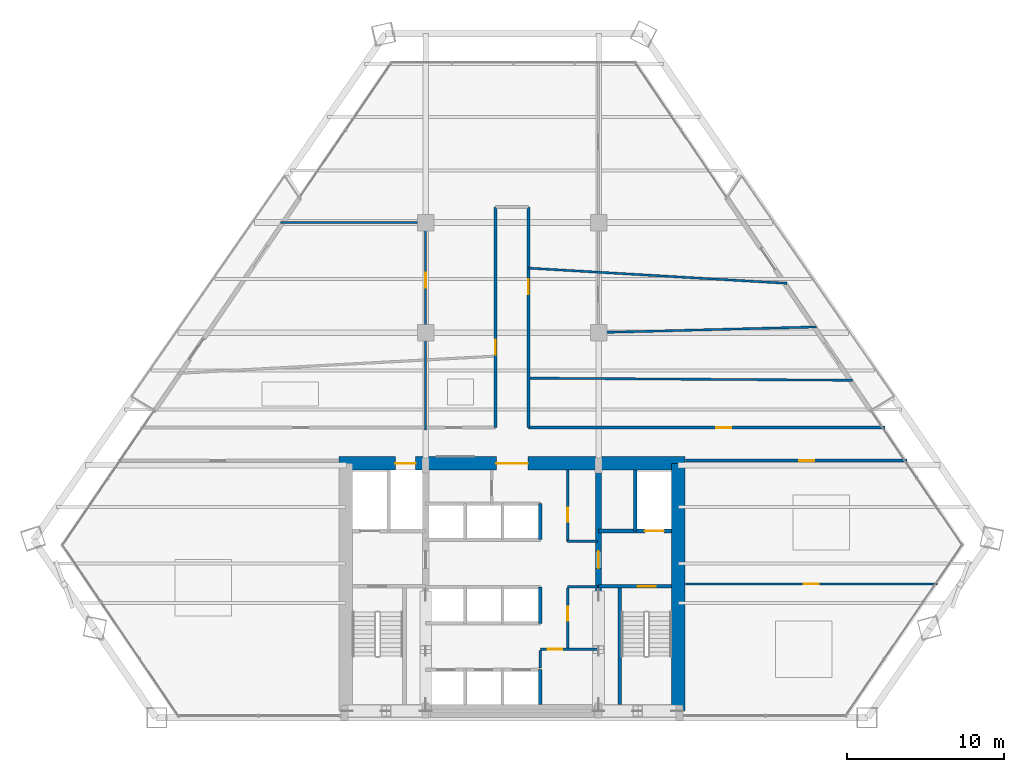
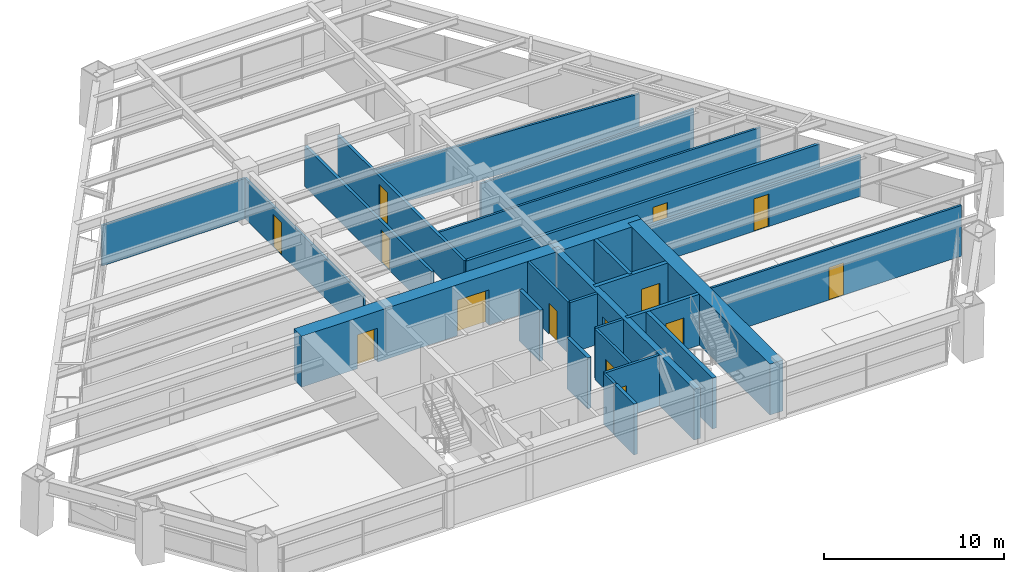
# One storey, part 11 of 14: 26 walls, 14 doors, 14 openings.
"""IFC4 building model written with IfcOpenShell, lengths in metres."""

import ifcopenshell
import ifcopenshell.guid

model = None  # the IFC model being written
_history = None  # IfcOwnerHistory: only IFC2X3 demands one
_inside = {}  # id of a spatial element -> (the spatial element, [elements in it])
_under = {}  # id of a project, library or spatial element -> (it, [spatial elements below it])
_declared = {}  # id of a project -> (the project, [libraries it declares])
_typed = {}  # id of a type object -> (the type object, [elements of that type])
_made_of = {}  # id of a material, layer set ... -> (it, [elements and type objects made of it])


def new_model(schema):
    """Start an empty IFC model of exactly this schema.

    Asked for "IFC4X3", IfcOpenShell would pick the latest addendum, in which some entities
    have other attributes; the version numbers below select the first issue.
    IFC2X3 requires an IfcOwnerHistory on every rooted entity: one is made here for all.
    """
    global model, _history
    if schema == "IFC4X3":
        model = ifcopenshell.file(schema_version=(4, 3, 0, 0))
    else:
        model = ifcopenshell.file(schema=schema)
    _inside.clear()
    _under.clear()
    _declared.clear()
    _typed.clear()
    _made_of.clear()
    _history = None
    if model.schema == "IFC2X3":
        org = make("IfcOrganization", Name="unknown")
        user = make(
            "IfcPersonAndOrganization",
            ThePerson=make("IfcPerson", FamilyName="unknown"),
            TheOrganization=org,
        )
        app = make(
            "IfcApplication",
            ApplicationDeveloper=org,
            Version="unknown",
            ApplicationFullName="unknown",
            ApplicationIdentifier="unknown",
        )
        _history = make(
            "IfcOwnerHistory",
            OwningUser=user,
            OwningApplication=app,
            ChangeAction="ADDED",
            CreationDate=0,
        )
    return model


def make(cls, **values):
    """One entity of the class cls with the attributes given. An attribute that is None is left unset."""
    return model.create_entity(
        cls, **{name: value for name, value in values.items() if value is not None}
    )


def rooted(cls, **values):
    """An entity with a GlobalId (a new one), such as an element, a storey or a relation."""
    return make(cls, GlobalId=ifcopenshell.guid.new(), OwnerHistory=_history, **values)


def si_unit(unit_type, name, prefix=None):
    """IfcSIUnit, for example si_unit("LENGTHUNIT", "METRE", prefix="MILLI")."""
    return make("IfcSIUnit", UnitType=unit_type, Prefix=prefix, Name=name)


def assignment(units):
    """IfcUnitAssignment: the units of a project."""
    return None if units is None else make("IfcUnitAssignment", Units=units)


def point(xyz):
    """IfcCartesianPoint."""
    return None if xyz is None else make("IfcCartesianPoint", Coordinates=xyz)


def direction(xyz):
    """IfcDirection."""
    return None if xyz is None else make("IfcDirection", DirectionRatios=xyz)


def frame(location, z_axis=None, x_axis=None):
    """IfcAxis2Placement3D, a coordinate frame: its origin and axes. An axis left out is left unset."""
    return make(
        "IfcAxis2Placement3D",
        Location=point(location),
        Axis=direction(z_axis),
        RefDirection=direction(x_axis),
    )


def frame_2d(location, x_axis=None):
    """IfcAxis2Placement2D, a coordinate frame in the plane: its origin and x axis."""
    return make(
        "IfcAxis2Placement2D", Location=point(location), RefDirection=direction(x_axis)
    )


def origin():
    """The frame at (0, 0, 0) with its axes left unset."""
    return frame((0.0, 0.0, 0.0))


def place(relative_to, where):
    """IfcLocalPlacement: puts the frame where relative to a parent placement (None: the world)."""
    return make(
        "IfcLocalPlacement", PlacementRelTo=relative_to, RelativePlacement=where
    )


def context(
    kind, dimensions, precision=None, world=None, true_north=None, identifier=None
):
    """IfcGeometricRepresentationContext, for example the 3D "Model" context."""
    return make(
        "IfcGeometricRepresentationContext",
        ContextIdentifier=identifier,
        ContextType=kind,
        CoordinateSpaceDimension=dimensions,
        Precision=precision,
        WorldCoordinateSystem=world,
        TrueNorth=true_north,
    )


def subcontext(parent, identifier, kind, view, scale=None):
    """IfcGeometricRepresentationSubContext, for example "Body" below "Model"."""
    return make(
        "IfcGeometricRepresentationSubContext",
        ContextIdentifier=identifier,
        ContextType=kind,
        ParentContext=parent,
        TargetScale=scale,
        TargetView=view,
    )


def project(units=None, contexts=None):
    """IfcProject with its units and contexts."""
    return rooted(
        "IfcProject",
        Name="project",
        RepresentationContexts=contexts,
        UnitsInContext=assignment(units),
    )


def spatial(cls, under=None, at=None, **own):
    """A site, building, storey or space (cls), placed at a placement, below another one or the project."""
    s = rooted(cls, ObjectPlacement=at, **own)
    if under is not None:
        _under.setdefault(under.id(), (under, []))[1].append(s)
    return s


def profile(cls, at=None, kind="AREA", **sizes):
    """A parametric profile (cls). Its sizes go by their IFC names, for example OverallWidth=200.0."""
    return make(cls, ProfileType=kind, Position=at, **sizes)


def rectangle(**sizes):
    """IfcRectangleProfileDef."""
    return profile("IfcRectangleProfileDef", **sizes)


def extrude(swept, where, along, depth):
    """IfcExtrudedAreaSolid: the profile swept, set in the frame where, extruded along a direction by depth."""
    return make(
        "IfcExtrudedAreaSolid",
        SweptArea=swept,
        Position=where,
        ExtrudedDirection=direction(along),
        Depth=depth,
    )


def shape(context_of_items, identifier, shape_type, items):
    """IfcShapeRepresentation: the items that make up one representation, for example the "Body"."""
    return make(
        "IfcShapeRepresentation",
        ContextOfItems=context_of_items,
        RepresentationIdentifier=identifier,
        RepresentationType=shape_type,
        Items=items,
    )


def source(mapping_origin, context_of_items, identifier, shape_type, items):
    """IfcRepresentationMap: a shape defined once, which mapped items show again and again."""
    return make(
        "IfcRepresentationMap",
        MappingOrigin=mapping_origin,
        MappedRepresentation=shape(context_of_items, identifier, shape_type, items),
    )


def transform(
    local_origin,
    x_axis=None,
    y_axis=None,
    z_axis=None,
    scale=None,
    scale2=None,
    scale3=None,
    uniform=True,
):
    """IfcCartesianTransformationOperator3D, or its non-uniform kind. x_axis, y_axis, z_axis: its Axis1, 2, 3."""
    if uniform:
        return make(
            "IfcCartesianTransformationOperator3D",
            Axis1=direction(x_axis),
            Axis2=direction(y_axis),
            LocalOrigin=point(local_origin),
            Scale=scale,
            Axis3=direction(z_axis),
        )
    return make(
        "IfcCartesianTransformationOperator3DnonUniform",
        Axis1=direction(x_axis),
        Axis2=direction(y_axis),
        LocalOrigin=point(local_origin),
        Scale=scale,
        Axis3=direction(z_axis),
        Scale2=scale2,
        Scale3=scale3,
    )


def mapped(mapping_source, mapping_target):
    """IfcMappedItem: shows the shape of a source again, moved by a transform."""
    return make(
        "IfcMappedItem", MappingSource=mapping_source, MappingTarget=mapping_target
    )


def material(Name=None, Category=None):
    """IfcMaterial."""
    return make("IfcMaterial", Name=Name, Category=Category)


def layer(
    of_material, thickness, ventilated=None, Name=None, Category=None, Priority=None
):
    """IfcMaterialLayer: one layer of a wall or slab, of a material (None: an air gap)."""
    return make(
        "IfcMaterialLayer",
        Material=of_material,
        LayerThickness=thickness,
        IsVentilated=ventilated,
        Name=Name,
        Category=Category,
        Priority=Priority,
    )


def layer_set(layers, Name=None):
    """IfcMaterialLayerSet."""
    return make("IfcMaterialLayerSet", MaterialLayers=layers, LayerSetName=Name)


def made_of(thing, what):
    """Note that an element or type object is made of a material, layer set ...; save() writes the relation."""
    if what is not None:
        _made_of.setdefault(what.id(), (what, []))[1].append(thing)
    return thing


def type_object(cls, material=None, **own):
    """A type object (cls), such as IfcWallType, which elements share."""
    return made_of(rooted(cls, **own), material)


def type_shapes(of_type, sources):
    """Give a type object the sources (RepresentationMaps) that its elements show as mapped items."""
    of_type.RepresentationMaps = sources


def element(
    cls,
    number,
    at=None,
    inside=None,
    cuts=None,
    type_object=None,
    material=None,
    context=None,
    identifier="Body",
    shape_type=None,
    held_by="IfcProductDefinitionShape",
    body=None,
    shapes=None,
    **own,
):
    """One element of the class cls, such as IfcWall. Its Tag is "e" and its number.

    at: its placement. inside: the storey or other place that contains it. cuts: it is an
    opening in that element (IfcRelVoidsElement). A single representation is given by context,
    identifier, shape_type and body (its items); several are given by shapes. held_by: the class
    of the entity that holds the representations. save() writes the other relations.
    """
    e = rooted(cls, Tag="e%d" % number, ObjectPlacement=at, **own)
    if body is not None:
        shapes = [shape(context, identifier, shape_type, body)]
    if shapes is not None:
        e.Representation = make(held_by, Representations=shapes)
    if inside is not None:
        _inside.setdefault(inside.id(), (inside, []))[1].append(e)
    if cuts is not None:
        rooted(
            "IfcRelVoidsElement", RelatingBuildingElement=cuts, RelatedOpeningElement=e
        )
    if type_object is not None:
        _typed.setdefault(type_object.id(), (type_object, []))[1].append(e)
    return made_of(e, material)


def fill(opening, filler):
    """IfcRelFillsElement: the door or window that sits in an opening."""
    return rooted(
        "IfcRelFillsElement",
        RelatingOpeningElement=opening,
        RelatedBuildingElement=filler,
    )


def aggregate(whole, parts):
    """IfcRelAggregates: a whole, such as a stair, and the parts it consists of."""
    return rooted("IfcRelAggregates", RelatingObject=whole, RelatedObjects=parts)


def save(model, path):
    """Write the relations noted so far, then the file.

    IfcRelAggregates (storeys below a building ...), IfcRelContainedInSpatialStructure (elements
    in a storey), IfcRelDefinesByType, IfcRelAssociatesMaterial and IfcRelDeclares: one each for
    every whole, place, type object, material and project.
    """
    for whole, parts in _under.values():
        aggregate(whole, parts)
    for where, things in _inside.values():
        rooted(
            "IfcRelContainedInSpatialStructure",
            RelatedElements=things,
            RelatingStructure=where,
        )
    for kind, things in _typed.values():
        rooted("IfcRelDefinesByType", RelatedObjects=things, RelatingType=kind)
    for what, things in _made_of.values():
        rooted("IfcRelAssociatesMaterial", RelatedObjects=things, RelatingMaterial=what)
    for by, libraries in _declared.values():
        rooted("IfcRelDeclares", RelatingContext=by, RelatedDefinitions=libraries)
    model.write(path)


model = new_model("IFC4")

# Units and contexts
model_context = context("Model", 3, precision=1e-05, world=origin(), true_north=direction((0.0, 1.0)))
body_context = subcontext(model_context, "Body", "Model", "MODEL_VIEW")
ifc_project = project(units=[si_unit("LENGTHUNIT", "METRE"), si_unit("AREAUNIT", "SQUARE_METRE"), si_unit("VOLUMEUNIT", "CUBIC_METRE"), si_unit("PLANEANGLEUNIT", "RADIAN"), si_unit("MASSUNIT", "GRAM", prefix="KILO")], contexts=[model_context])

# Site, building, storey
site_placement = place(None, origin())
site = spatial("IfcSite", under=ifc_project, at=site_placement, CompositionType="ELEMENT")
building_placement = place(site_placement, origin())
building = spatial("IfcBuilding", under=site, at=building_placement, Name="Varnakhor Terracotta Tower", CompositionType="ELEMENT")
storey_placement = place(building_placement, frame((0.0, 0.0, 34.89990234375)))
storey = spatial("IfcBuildingStorey", under=building, at=storey_placement, Name="L07", CompositionType="ELEMENT", Elevation=34.89990234375)

# Wall, openings, doors
ifc_material_1 = material(Name="Concrete C60/75", Category="concrete")
ifc_layer_1 = layer(ifc_material_1, 0.85009765625, Name="Concrete C60/75")
ifc_layer_set_1 = layer_set([ifc_layer_1], Name="Concrete C60/75")
wall_type_1 = type_object("IfcWallType", Name="WAL-CORE-850", PredefinedType="SHEAR", material=ifc_layer_set_1)
wall_1_placement = place(storey_placement, frame((-11.0, 16.175048828125, 0.0), z_axis=(0.0, 0.0, 1.0), x_axis=(1.0, 0.0, 0.0)))
wall_1 = element("IfcWall", 1, at=wall_1_placement, inside=storey, type_object=wall_type_1, Name="L07 North Core Shear Wall", PredefinedType="SHEAR", context=body_context, shape_type="SweptSolid", body=[
    extrude(rectangle(XDim=22.0, YDim=0.85009765625, at=frame_2d((11.0, 0.0))), origin(), (0.0, 0.0, 1.0), 3.4501953125),
])
opening_1_placement = place(wall_1_placement, frame((3.570068359375, 0.0, 0.0)))
opening_1 = element("IfcOpeningElement", 2, at=opening_1_placement, cuts=wall_1, Name="Opening LD-03", PredefinedType="OPENING", context=body_context, shape_type="SweptSolid", body=[
    extrude(rectangle(XDim=1.300048828125, YDim=2.300048828125, at=frame_2d((0.64990234375, 1.14990234375))), frame((0.0, 0.43505859375, 0.0), z_axis=(0.0, -1.0, 0.0), x_axis=(1.0, 0.0, 0.0)), (0.0, 0.0, 1.0), 0.8701171875),
])
opening_2_placement = place(wall_1_placement, frame((10.0, 0.0, 0.0)))
opening_2 = element("IfcOpeningElement", 3, at=opening_2_placement, cuts=wall_1, Name="Opening DR-32", PredefinedType="OPENING", context=body_context, shape_type="SweptSolid", body=[
    extrude(rectangle(XDim=2.0, YDim=2.39990234375, at=frame_2d((1.0, 1.199951171875))), frame((0.0, 0.43505859375, 0.0), z_axis=(0.0, -1.0, 0.0), x_axis=(1.0, 0.0, 0.0)), (0.0, 0.0, 1.0), 0.8701171875),
])
ifc_material_2 = material(Name="Heavy-Duty Goods Sliding Lift Landing Door", Category="steel")
door_type_1 = type_object("IfcDoorType", Name="LD-SRV-1300X2300", OperationType="NOTDEFINED", PredefinedType="DOOR", material=ifc_material_2)
shared_shape_1 = source(origin(), body_context, "Body", "SweptSolid", [
    extrude(rectangle(XDim=1.300048828125, YDim=2.300048828125, at=frame_2d((0.64990234375, 1.14990234375))), frame((0.0, 0.02490234375, 0.0), z_axis=(0.0, -1.0, 0.0), x_axis=(1.0, 0.0, 0.0)), (0.0, 0.0, 1.0), 0.050048828125),
])
type_shapes(door_type_1, [shared_shape_1])
door_1_placement = place(opening_1_placement, origin())
door_1 = element("IfcDoor", 4, at=door_1_placement, inside=storey, type_object=door_type_1, Name="L07 Service Lift SVL-1 Landing Door", OperationType="SLIDING_TO_RIGHT", OverallHeight=2.300048828125, OverallWidth=1.300048828125, PredefinedType="DOOR", context=body_context, shape_type="MappedRepresentation", body=[
    mapped(shared_shape_1, transform((0.0, 0.0, 0.0), scale=1.0)),
])
fill(opening_1, door_1)
ifc_material_3 = material(Name="Acoustic Double Assembly Fire Door", Category="wood")
door_type_2 = type_object("IfcDoorType", Name="DR-HALL-2000X2400", OperationType="NOTDEFINED", PredefinedType="DOOR", material=ifc_material_3)
shared_shape_2 = source(origin(), body_context, "Body", "SweptSolid", [
    extrude(rectangle(XDim=2.0, YDim=2.39990234375, at=frame_2d((1.0, 1.199951171875))), frame((0.0, 0.02490234375, 0.0), z_axis=(0.0, -1.0, 0.0), x_axis=(1.0, 0.0, 0.0)), (0.0, 0.0, 1.0), 0.050048828125),
])
type_shapes(door_type_2, [shared_shape_2])
door_2_placement = place(opening_2_placement, origin())
door_2 = element("IfcDoor", 5, at=door_2_placement, inside=storey, type_object=door_type_2, Name="L07 Core Main Lobby Double Door", OperationType="DOUBLE_DOOR_SINGLE_SWING", OverallHeight=2.39990234375, OverallWidth=2.0, PredefinedType="DOOR", context=body_context, shape_type="MappedRepresentation", body=[
    mapped(shared_shape_2, transform((0.0, 0.0, 0.0), scale=1.0)),
])
fill(opening_2, door_2)

# Wall
wall_2_placement = place(storey_placement, frame((10.574951171875, 0.425048828125, 0.0), z_axis=(0.0, 0.0, 1.0), x_axis=(0.0, 1.0, 0.0)))
element("IfcWall", 6, at=wall_2_placement, inside=storey, type_object=wall_type_1, Name="L07 East Core Shear Wall", PredefinedType="SHEAR", context=body_context, shape_type="SweptSolid", body=[
    extrude(rectangle(XDim=15.75, YDim=0.85009765625, at=frame_2d((7.875, 0.0))), origin(), (0.0, 0.0, 1.0), 3.4501953125),
])

# Wall, opening, door
ifc_material_4 = material(Name="Concrete C50/60", Category="concrete")
ifc_layer_2 = layer(ifc_material_4, 0.39990234375, Name="Concrete C50/60")
ifc_layer_set_2 = layer_set([ifc_layer_2], Name="Concrete C50/60")
wall_type_2 = type_object("IfcWallType", Name="WAL-CORE-WEB-400", PredefinedType="SHEAR", material=ifc_layer_set_2)
wall_3_placement = place(storey_placement, frame((5.5, 0.425048828125, 0.0), z_axis=(0.0, 0.0, 1.0), x_axis=(0.0, 1.0, 0.0)))
wall_3 = element("IfcWall", 7, at=wall_3_placement, inside=storey, type_object=wall_type_2, Name="L07 East Core Web Shear Wall", PredefinedType="SHEAR", context=body_context, shape_type="SweptSolid", body=[
    extrude(rectangle(XDim=15.75, YDim=0.39990234375, at=frame_2d((7.875, 0.0))), origin(), (0.0, 0.0, 1.0), 3.4501953125),
])
opening_3_placement = place(wall_3_placement, frame((9.074951171875, 0.0, 0.0)))
opening_3 = element("IfcOpeningElement", 8, at=opening_3_placement, cuts=wall_3, Name="Opening DR-25", PredefinedType="OPENING", context=body_context, shape_type="SweptSolid", body=[
    extrude(rectangle(XDim=1.10009765625, YDim=2.199951171875, at=frame_2d((0.550048828125, 1.10009765625))), frame((0.0, 0.2099609375, 0.0), z_axis=(0.0, -1.0, 0.0), x_axis=(1.0, 0.0, 0.0)), (0.0, 0.0, 1.0), 0.419921875),
])
ifc_material_5 = material(Name="Firefighting Lobby Self-Closing Fire Door", Category="steel")
door_type_3 = type_object("IfcDoorType", Name="DR-FFL-1100X2200", OperationType="NOTDEFINED", PredefinedType="DOOR", material=ifc_material_5)
shared_shape_3 = source(origin(), body_context, "Body", "SweptSolid", [
    extrude(rectangle(XDim=1.10009765625, YDim=2.199951171875, at=frame_2d((0.550048828125, 1.10009765625))), frame((0.0, 0.02490234375, 0.0), z_axis=(0.0, -1.0, 0.0), x_axis=(1.0, 0.0, 0.0)), (0.0, 0.0, 1.0), 0.050048828125),
])
type_shapes(door_type_3, [shared_shape_3])
door_3_placement = place(opening_3_placement, origin())
door_3 = element("IfcDoor", 9, at=door_3_placement, inside=storey, type_object=door_type_3, Name="L07 East Firefighting Lobby Door", OperationType="SINGLE_SWING_LEFT", OverallHeight=2.199951171875, OverallWidth=1.10009765625, PredefinedType="DOOR", context=body_context, shape_type="MappedRepresentation", body=[
    mapped(shared_shape_3, transform((0.0, 0.0, 0.0), scale=1.0)),
])
fill(opening_3, door_3)

ifc_material_6 = material(Name="Fire-Rated Gypsum Stud Partition", Category="gypsum")
ifc_layer_3 = layer(ifc_material_6, 0.18505859375, Name="Fire-Rated Gypsum Stud Partition")
ifc_layer_set_3 = layer_set([ifc_layer_3], Name="Fire-Rated Gypsum Stud Partition")
wall_type_3 = type_object("IfcWallType", Name="WAL-CORR-185", PredefinedType="PARTITIONING", material=ifc_layer_set_3)
wall_4_placement = place(storey_placement, frame((11.02001953125, 16.35009765625, 0.0), z_axis=(0.0, 0.0, 1.0), x_axis=(1.0, 0.0, 0.0)))
wall_4 = element("IfcWall", 10, at=wall_4_placement, inside=storey, type_object=wall_type_3, Name="L07 South East Corridor Wall", PredefinedType="PARTITIONING", context=body_context, shape_type="SweptSolid", body=[
    extrude(rectangle(XDim=14.112060546875, YDim=0.18505859375, at=frame_2d((7.05615234375, 0.0))), origin(), (0.0, 0.0, 1.0), 2.7470703125),
])
opening_4_placement = place(wall_4_placement, frame((7.252685546875, 0.0, 0.0)))
opening_4 = element("IfcOpeningElement", 11, at=opening_4_placement, cuts=wall_4, Name="Opening DR-94", PredefinedType="OPENING", context=body_context, shape_type="SweptSolid", body=[
    extrude(rectangle(XDim=0.949951171875, YDim=2.199951171875, at=frame_2d((0.47509765625, 1.10009765625))), frame((0.0, 0.1025390625, 0.0), z_axis=(0.0, -1.0, 0.0), x_axis=(1.0, 0.0, 0.0)), (0.0, 0.0, 1.0), 0.205078125),
])
ifc_material_7 = material(Name="Acoustic Glazed-Vision Timber Office Door", Category="wood")
door_type_4 = type_object("IfcDoorType", Name="DR-OFF-950X2200", OperationType="NOTDEFINED", PredefinedType="DOOR", material=ifc_material_7)
shared_shape_4 = source(origin(), body_context, "Body", "SweptSolid", [
    extrude(rectangle(XDim=0.949951171875, YDim=2.199951171875, at=frame_2d((0.47509765625, 1.10009765625))), frame((0.0, 0.02490234375, 0.0), z_axis=(0.0, -1.0, 0.0), x_axis=(1.0, 0.0, 0.0)), (0.0, 0.0, 1.0), 0.050048828125),
])
type_shapes(door_type_4, [shared_shape_4])
door_4_placement = place(opening_4_placement, origin())
door_4 = element("IfcDoor", 12, at=door_4_placement, inside=storey, type_object=door_type_4, Name="L07 SE Suite Door", OperationType="SINGLE_SWING_LEFT", OverallHeight=2.199951171875, OverallWidth=0.949951171875, PredefinedType="DOOR", context=body_context, shape_type="MappedRepresentation", body=[
    mapped(shared_shape_4, transform((0.0, 0.0, 0.0), scale=1.0)),
])
fill(opening_4, door_4)

wall_5_placement = place(storey_placement, frame((1.050048828125, 18.449951171875, 0.0), z_axis=(0.0, 0.0, 1.0), x_axis=(1.0, 0.0, 0.0)))
wall_5 = element("IfcWall", 13, at=wall_5_placement, inside=storey, type_object=wall_type_3, Name="L07 Corridor North East Wall", PredefinedType="PARTITIONING", context=body_context, shape_type="SweptSolid", body=[
    extrude(rectangle(XDim=22.65869140625, YDim=0.18505859375, at=frame_2d((11.329345703125, 0.0))), origin(), (0.0, 0.0, 1.0), 2.7470703125),
])
opening_5_placement = place(wall_5_placement, frame((11.953369140625, 0.0, 0.0)))
opening_5 = element("IfcOpeningElement", 14, at=opening_5_placement, cuts=wall_5, Name="Opening DR-94", PredefinedType="OPENING", context=body_context, shape_type="SweptSolid", body=[
    extrude(rectangle(XDim=0.949951171875, YDim=2.199951171875, at=frame_2d((0.47509765625, 1.10009765625))), frame((0.0, 0.1025390625, 0.0), z_axis=(0.0, -1.0, 0.0), x_axis=(1.0, 0.0, 0.0)), (0.0, 0.0, 1.0), 0.205078125),
])
door_5_placement = place(opening_5_placement, origin())
door_5 = element("IfcDoor", 15, at=door_5_placement, inside=storey, type_object=door_type_4, Name="L07 East Workplace Door", OperationType="SINGLE_SWING_LEFT", OverallHeight=2.199951171875, OverallWidth=0.949951171875, PredefinedType="DOOR", context=body_context, shape_type="MappedRepresentation", body=[
    mapped(shared_shape_4, transform((0.0, 0.0, 0.0), scale=1.0)),
])
fill(opening_5, door_5)

wall_6_placement = place(storey_placement, frame((-1.050048828125, 18.449951171875, 0.0), z_axis=(0.0, 0.0, 1.0), x_axis=(0.0, 1.0, 0.0)))
wall_6 = element("IfcWall", 16, at=wall_6_placement, inside=storey, type_object=wall_type_3, Name="L07 Spine West Wall", PredefinedType="PARTITIONING", context=body_context, shape_type="SweptSolid", body=[
    extrude(rectangle(XDim=14.050048828125, YDim=0.18505859375, at=frame_2d((7.02490234375, 0.0))), origin(), (0.0, 0.0, 1.0), 2.7470703125),
])
opening_6_placement = place(wall_6_placement, frame((4.6298828125, 0.0, 0.0)))
opening_6 = element("IfcOpeningElement", 17, at=opening_6_placement, cuts=wall_6, Name="Opening DR-94", PredefinedType="OPENING", context=body_context, shape_type="SweptSolid", body=[
    extrude(rectangle(XDim=0.949951171875, YDim=2.199951171875, at=frame_2d((0.47509765625, 1.10009765625))), frame((0.0, 0.1025390625, 0.0), z_axis=(0.0, -1.0, 0.0), x_axis=(1.0, 0.0, 0.0)), (0.0, 0.0, 1.0), 0.205078125),
])
door_6_placement = place(opening_6_placement, origin())
door_6 = element("IfcDoor", 18, at=door_6_placement, inside=storey, type_object=door_type_4, Name="L07 Spine West Door", OperationType="SINGLE_SWING_RIGHT", OverallHeight=2.199951171875, OverallWidth=0.949951171875, PredefinedType="DOOR", context=body_context, shape_type="MappedRepresentation", body=[
    mapped(shared_shape_4, transform((0.0, 0.0, 0.0), scale=1.0)),
])
fill(opening_6, door_6)

wall_7_placement = place(storey_placement, frame((1.050048828125, 18.449951171875, 0.0), z_axis=(0.0, 0.0, 1.0), x_axis=(0.0, 1.0, 0.0)))
wall_7 = element("IfcWall", 19, at=wall_7_placement, inside=storey, type_object=wall_type_3, Name="L07 Spine East Wall", PredefinedType="PARTITIONING", context=body_context, shape_type="SweptSolid", body=[
    extrude(rectangle(XDim=14.050048828125, YDim=0.18505859375, at=frame_2d((7.02490234375, 0.0))), origin(), (0.0, 0.0, 1.0), 2.7470703125),
])
opening_7_placement = place(wall_7_placement, frame((8.496337890625, 0.0, 0.0)))
opening_7 = element("IfcOpeningElement", 20, at=opening_7_placement, cuts=wall_7, Name="Opening DR-94", PredefinedType="OPENING", context=body_context, shape_type="SweptSolid", body=[
    extrude(rectangle(XDim=0.949951171875, YDim=2.199951171875, at=frame_2d((0.47509765625, 1.10009765625))), frame((0.0, 0.1025390625, 0.0), z_axis=(0.0, -1.0, 0.0), x_axis=(1.0, 0.0, 0.0)), (0.0, 0.0, 1.0), 0.205078125),
])
door_7_placement = place(opening_7_placement, origin())
door_7 = element("IfcDoor", 21, at=door_7_placement, inside=storey, type_object=door_type_4, Name="L07 Spine East Door", OperationType="SINGLE_SWING_LEFT", OverallHeight=2.199951171875, OverallWidth=0.949951171875, PredefinedType="DOOR", context=body_context, shape_type="MappedRepresentation", body=[
    mapped(shared_shape_4, transform((0.0, 0.0, 0.0), scale=1.0)),
])
fill(opening_7, door_7)

ifc_material_8 = material(Name="Concrete C40/50", Category="concrete")
ifc_layer_4 = layer(ifc_material_8, 0.219970703125, Name="Concrete C40/50")
ifc_layer_set_4 = layer_set([ifc_layer_4], Name="Concrete C40/50")
wall_type_4 = type_object("IfcWallType", Name="WAL-FFLOBBY-220", PredefinedType="SOLIDWALL", material=ifc_layer_set_4)
wall_8_placement = place(storey_placement, frame((10.14990234375, 8.35009765625, 0.0), z_axis=(0.0, 0.0, 1.0), x_axis=(-1.0, 0.0, 0.0)))
wall_8 = element("IfcWall", 22, at=wall_8_placement, inside=storey, type_object=wall_type_4, Name="L07 East Firefighting Lobby Stair Wall", PredefinedType="SOLIDWALL", context=body_context, shape_type="SweptSolid", body=[
    extrude(rectangle(XDim=4.64990234375, YDim=0.219970703125, at=frame_2d((2.324951171875, 0.0))), origin(), (0.0, 0.0, 1.0), 3.4501953125),
])
opening_8_placement = place(wall_8_placement, frame((1.0, 0.0, 0.0)))
opening_8 = element("IfcOpeningElement", 23, at=opening_8_placement, cuts=wall_8, Name="Opening DR-34", PredefinedType="OPENING", context=body_context, shape_type="SweptSolid", body=[
    extrude(rectangle(XDim=1.14990234375, YDim=2.199951171875, at=frame_2d((0.574951171875, 1.10009765625))), frame((0.0, 0.1201171875, 0.0), z_axis=(0.0, -1.0, 0.0), x_axis=(1.0, 0.0, 0.0)), (0.0, 0.0, 1.0), 0.239990234375),
])
ifc_material_9 = material(Name="Self-Closing Smoke-Sealed Steel Fire Door", Category="steel")
door_type_5 = type_object("IfcDoorType", Name="DR-STAIR-1150X2200", OperationType="NOTDEFINED", PredefinedType="DOOR", material=ifc_material_9)
shared_shape_5 = source(origin(), body_context, "Body", "SweptSolid", [
    extrude(rectangle(XDim=1.14990234375, YDim=2.199951171875, at=frame_2d((0.574951171875, 1.10009765625))), frame((0.0, 0.02490234375, 0.0), z_axis=(0.0, -1.0, 0.0), x_axis=(1.0, 0.0, 0.0)), (0.0, 0.0, 1.0), 0.050048828125),
])
type_shapes(door_type_5, [shared_shape_5])
door_8_placement = place(opening_8_placement, origin())
door_8 = element("IfcDoor", 24, at=door_8_placement, inside=storey, type_object=door_type_5, Name="L07 Exit Stair ST-2 Fire Door", OperationType="SINGLE_SWING_RIGHT", OverallHeight=2.199951171875, OverallWidth=1.14990234375, PredefinedType="DOOR", context=body_context, shape_type="MappedRepresentation", body=[
    mapped(shared_shape_5, transform((0.0, 0.0, 0.0), scale=1.0)),
])
fill(opening_8, door_8)

ifc_material_10 = material(Name="Acoustic Metal-Stud Partition", Category="gypsum")
ifc_layer_5 = layer(ifc_material_10, 0.139892578125, Name="Acoustic Metal-Stud Partition")
ifc_layer_set_5 = layer_set([ifc_layer_5], Name="Acoustic Metal-Stud Partition")
wall_type_5 = type_object("IfcWallType", Name="WAL-PART-140", PredefinedType="PARTITIONING", material=ifc_layer_set_5)
wall_9_placement = place(storey_placement, frame((-5.5, 18.300048828125, 0.0), z_axis=(0.0, 0.0, 1.0), x_axis=(0.0, 1.0, 0.0)))
wall_9 = element("IfcWall", 25, at=wall_9_placement, inside=storey, type_object=wall_type_5, Name="L07 West Column Line Wall", PredefinedType="PARTITIONING", context=body_context, shape_type="SweptSolid", body=[
    extrude(rectangle(XDim=13.199951171875, YDim=0.139892578125, at=frame_2d((6.60009765625, 0.0))), origin(), (0.0, 0.0, 1.0), 2.7470703125),
])
opening_9_placement = place(wall_9_placement, frame((9.0654296875, 0.0, 0.0)))
opening_9 = element("IfcOpeningElement", 26, at=opening_9_placement, cuts=wall_9, Name="Opening DR-94", PredefinedType="OPENING", context=body_context, shape_type="SweptSolid", body=[
    extrude(rectangle(XDim=0.949951171875, YDim=2.199951171875, at=frame_2d((0.47509765625, 1.10009765625))), frame((0.0, 0.080078125, 0.0), z_axis=(0.0, -1.0, 0.0), x_axis=(1.0, 0.0, 0.0)), (0.0, 0.0, 1.0), 0.159912109375),
])
door_9_placement = place(opening_9_placement, origin())
door_9 = element("IfcDoor", 27, at=door_9_placement, inside=storey, type_object=door_type_4, Name="L07 Conference Room E2 Door", OperationType="SINGLE_SWING_LEFT", OverallHeight=2.199951171875, OverallWidth=0.949951171875, PredefinedType="DOOR", context=body_context, shape_type="MappedRepresentation", body=[
    mapped(shared_shape_4, transform((0.0, 0.0, 0.0), scale=1.0)),
])
fill(opening_9, door_9)

# Walls
wall_10_placement = place(storey_placement, frame((-14.73291015625, 31.5, 0.0), z_axis=(0.0, 0.0, 1.0), x_axis=(1.0, 0.0, 0.0)))
element("IfcWall", 28, at=wall_10_placement, inside=storey, type_object=wall_type_5, Name="L07 North West Column Wall", PredefinedType="PARTITIONING", context=body_context, shape_type="SweptSolid", body=[
    extrude(rectangle(XDim=9.23291015625, YDim=0.139892578125, at=frame_2d((4.616455078125, 0.0))), origin(), (0.0, 0.0, 1.0), 2.7470703125),
])
wall_11_placement = place(storey_placement, frame((5.5, 24.5, 0.0), z_axis=(0.0, 0.0, 1.0), x_axis=(0.999666998151, 0.025804898917, 0.0)))
element("IfcWall", 29, at=wall_11_placement, inside=storey, type_object=wall_type_5, Name="L07 Mid East Column Wall", PredefinedType="PARTITIONING", context=body_context, shape_type="SweptSolid", body=[
    extrude(rectangle(XDim=13.869873046875, YDim=0.139892578125, at=frame_2d((6.93505859375, 0.0))), origin(), (0.0, 0.0, 1.0), 2.7470703125),
])
wall_12_placement = place(storey_placement, frame((1.050048828125, 21.60009765625, 0.0), z_axis=(0.0, 0.0, 1.0), x_axis=(0.999978245495, -0.006596100077, 0.0)))
element("IfcWall", 30, at=wall_12_placement, inside=storey, type_object=wall_type_5, Name="L07 East Wing Cut 1", PredefinedType="PARTITIONING", context=body_context, shape_type="SweptSolid", body=[
    extrude(rectangle(XDim=20.6162109375, YDim=0.139892578125, at=frame_2d((10.30810546875, 0.0))), origin(), (0.0, 0.0, 1.0), 2.7470703125),
])
wall_13_placement = place(storey_placement, frame((1.050048828125, 28.60009765625, 0.0), z_axis=(0.0, 0.0, 1.0), x_axis=(0.998275753656, -0.058698549061, 0.0)))
element("IfcWall", 31, at=wall_13_placement, inside=storey, type_object=wall_type_5, Name="L07 East Wing Cut 2", PredefinedType="PARTITIONING", context=body_context, shape_type="SweptSolid", body=[
    extrude(rectangle(XDim=16.462158203125, YDim=0.139892578125, at=frame_2d((8.23095703125, 0.0))), origin(), (0.0, 0.0, 1.0), 2.7470703125),
])

# Wall, opening, door
wall_14_placement = place(storey_placement, frame((11.02001953125, 8.5, 0.0), z_axis=(0.0, 0.0, 1.0), x_axis=(1.0, 0.0, 0.0)))
wall_14 = element("IfcWall", 32, at=wall_14_placement, inside=storey, type_object=wall_type_5, Name="L07 South East Cut 1", PredefinedType="PARTITIONING", context=body_context, shape_type="SweptSolid", body=[
    extrude(rectangle(XDim=16.043212890625, YDim=0.139892578125, at=frame_2d((8.021484375, 0.0))), origin(), (0.0, 0.0, 1.0), 3.442138671875),
])
opening_10_placement = place(wall_14_placement, frame((7.53369140625, 0.0, 0.0)))
opening_10 = element("IfcOpeningElement", 33, at=opening_10_placement, cuts=wall_14, Name="Opening DR-94", PredefinedType="OPENING", context=body_context, shape_type="SweptSolid", body=[
    extrude(rectangle(XDim=0.949951171875, YDim=2.199951171875, at=frame_2d((0.47509765625, 1.10009765625))), frame((0.0, 0.080078125, 0.0), z_axis=(0.0, -1.0, 0.0), x_axis=(1.0, 0.0, 0.0)), (0.0, 0.0, 1.0), 0.159912109375),
])
door_10_placement = place(opening_10_placement, origin())
door_10 = element("IfcDoor", 34, at=door_10_placement, inside=storey, type_object=door_type_4, Name="L07 South East Conference Room Door", OperationType="SINGLE_SWING_RIGHT", OverallHeight=2.199951171875, OverallWidth=0.949951171875, PredefinedType="DOOR", context=body_context, shape_type="MappedRepresentation", body=[
    mapped(shared_shape_4, transform((0.0, 0.0, 0.0), scale=1.0)),
])
fill(opening_10, door_10)

# Walls
ifc_layer_6 = layer(ifc_material_8, 0.219970703125, Name="Concrete C40/50")
ifc_layer_set_6 = layer_set([ifc_layer_6], Name="Concrete C40/50")
wall_type_6 = type_object("IfcWallType", Name="WAL-SHAFT-220", PredefinedType="SOLIDWALL", material=ifc_layer_set_6)
wall_15_placement = place(storey_placement, frame((7.840087890625, 11.8701171875, 0.0), z_axis=(0.0, 0.0, 1.0), x_axis=(0.0, 1.0, 0.0)))
element("IfcWall", 35, at=wall_15_placement, inside=storey, type_object=wall_type_6, Name="L07 Lift FFL-2 and Riser Divider Wall", PredefinedType="SOLIDWALL", context=body_context, shape_type="SweptSolid", body=[
    extrude(rectangle(XDim=3.8798828125, YDim=0.219970703125, at=frame_2d((1.93994140625, 0.0))), origin(), (0.0, 0.0, 1.0), 3.4501953125),
])
wall_16_placement = place(storey_placement, frame((1.800048828125, 0.85009765625, 0.0), z_axis=(0.0, 0.0, 1.0), x_axis=(0.0, 1.0, 0.0)))
element("IfcWall", 36, at=wall_16_placement, inside=storey, type_object=wall_type_6, Name="L07 Bank 1 East Shaft Wall", PredefinedType="SOLIDWALL", context=body_context, shape_type="SweptSolid", body=[
    extrude(rectangle(XDim=2.199951171875, YDim=0.219970703125, at=frame_2d((1.10009765625, 0.0))), origin(), (0.0, 0.0, 1.0), 3.4501953125),
])
for number, where, z_axis, x_axis, name in (
    (37, (1.800048828125, 6.0, 0.0), (0.0, 0.0, 1.0), (0.0, 1.0, 0.0), "L07 Bank 2 East Shaft Wall"),
    (38, (1.800048828125, 11.320068359375, 0.0), (0.0, 0.0, 1.0), (0.0, 1.0, 0.0), "L07 Bank 3 East Shaft Wall"),
):
    element("IfcWall", number, at=place(storey_placement, frame(where, z_axis=z_axis, x_axis=x_axis)), inside=storey, type_object=wall_type_6, Name=name, PredefinedType="SOLIDWALL", context=body_context, shape_type="SweptSolid", body=[
        extrude(rectangle(XDim=2.300048828125, YDim=0.219970703125, at=frame_2d((1.14990234375, 0.0))), origin(), (0.0, 0.0, 1.0), 3.4501953125),
    ])
ifc_layer_7 = layer(ifc_material_8, 0.25, Name="Concrete C40/50")
ifc_layer_set_7 = layer_set([ifc_layer_7], Name="Concrete C40/50")
wall_type_7 = type_object("IfcWallType", Name="WAL-SHAFT-250", PredefinedType="SOLIDWALL", material=ifc_layer_set_7)
wall_17_placement = place(storey_placement, frame((6.85009765625, 0.85009765625, 0.0), z_axis=(0.0, 0.0, 1.0), x_axis=(0.0, 1.0, 0.0)))
element("IfcWall", 39, at=wall_17_placement, inside=storey, type_object=wall_type_7, Name="L07 Stair ST-2 Bearing Shaft Wall", PredefinedType="SOLIDWALL", context=body_context, shape_type="SweptSolid", body=[
    extrude(rectangle(XDim=7.5, YDim=0.25, at=frame_2d((3.75, 0.0))), origin(), (0.0, 0.0, 1.0), 3.4501953125),
])

# Wall, opening, door
wall_18_placement = place(storey_placement, frame((10.14990234375, 11.8701171875, 0.0), z_axis=(0.0, 0.0, 1.0), x_axis=(-1.0, 0.0, 0.0)))
wall_18 = element("IfcWall", 40, at=wall_18_placement, inside=storey, type_object=wall_type_7, Name="L07 Lift FFL-2 Shaft Front Wall", PredefinedType="SOLIDWALL", context=body_context, shape_type="SweptSolid", body=[
    extrude(rectangle(XDim=4.64990234375, YDim=0.25, at=frame_2d((2.324951171875, 0.0))), origin(), (0.0, 0.0, 1.0), 3.4501953125),
])
opening_11_placement = place(wall_18_placement, frame((0.5, 0.0, 0.0)))
opening_11 = element("IfcOpeningElement", 41, at=opening_11_placement, cuts=wall_18, Name="Opening LD-02", PredefinedType="OPENING", context=body_context, shape_type="SweptSolid", body=[
    extrude(rectangle(XDim=1.199951171875, YDim=2.25, at=frame_2d((0.60009765625, 1.125))), frame((0.0, 0.135009765625, 0.0), z_axis=(0.0, -1.0, 0.0), x_axis=(1.0, 0.0, 0.0)), (0.0, 0.0, 1.0), 0.27001953125),
])
ifc_material_11 = material(Name="Firefighting Stretcher Sliding Lift Landing Door", Category="steel")
door_type_6 = type_object("IfcDoorType", Name="LD-FFL-1200X2250", OperationType="NOTDEFINED", PredefinedType="DOOR", material=ifc_material_11)
shared_shape_6 = source(origin(), body_context, "Body", "SweptSolid", [
    extrude(rectangle(XDim=1.199951171875, YDim=2.25, at=frame_2d((0.60009765625, 1.125))), frame((0.0, 0.02490234375, 0.0), z_axis=(0.0, -1.0, 0.0), x_axis=(1.0, 0.0, 0.0)), (0.0, 0.0, 1.0), 0.050048828125),
])
type_shapes(door_type_6, [shared_shape_6])
door_11_placement = place(opening_11_placement, origin())
door_11 = element("IfcDoor", 42, at=door_11_placement, inside=storey, type_object=door_type_6, Name="L07 Firefighting Lift FFL-2 Landing Door", OperationType="SLIDING_TO_RIGHT", OverallHeight=2.25, OverallWidth=1.199951171875, PredefinedType="DOOR", context=body_context, shape_type="MappedRepresentation", body=[
    mapped(shared_shape_6, transform((0.0, 0.0, 0.0), scale=1.0)),
])
fill(opening_11, door_11)

# Wall
ifc_material_12 = material(Name="Acoustic Fire-Rated Partition", Category="gypsum")
ifc_layer_8 = layer(ifc_material_12, 0.1650390625, Name="Acoustic Fire-Rated Partition")
ifc_layer_set_8 = layer_set([ifc_layer_8], Name="Acoustic Fire-Rated Partition")
wall_type_8 = type_object("IfcWallType", Name="WAL-TENANCY-165", PredefinedType="PARTITIONING", material=ifc_layer_set_8)
wall_19_placement = place(storey_placement, frame((1.800048828125, 3.159912109375, 0.0), z_axis=(0.0, 0.0, 1.0), x_axis=(0.0, 1.0, 0.0)))
element("IfcWall", 43, at=wall_19_placement, inside=storey, type_object=wall_type_8, Name="L07 Core South West Return Wall", PredefinedType="PARTITIONING", context=body_context, shape_type="SweptSolid", body=[
    extrude(rectangle(XDim=1.107666015625, YDim=0.1650390625, at=frame_2d((0.5537109375, 0.0))), origin(), (0.0, 0.0, 1.0), 3.442138671875),
])

# Wall, opening, door
wall_20_placement = place(storey_placement, frame((3.5400390625, 4.4326171875, 0.0), z_axis=(0.0, 0.0, 1.0), x_axis=(0.0, 1.0, 0.0)))
wall_20 = element("IfcWall", 44, at=wall_20_placement, inside=storey, type_object=wall_type_8, Name="L07 Core Service Rated Wall", PredefinedType="PARTITIONING", context=body_context, shape_type="SweptSolid", body=[
    extrude(rectangle(XDim=3.824951171875, YDim=0.1650390625, at=frame_2d((1.91259765625, 0.0))), origin(), (0.0, 0.0, 1.0), 3.442138671875),
])
opening_12_placement = place(wall_20_placement, frame((1.72119140625, 0.0, 0.0)))
opening_12 = element("IfcOpeningElement", 45, at=opening_12_placement, cuts=wall_20, Name="Opening DR-67", PredefinedType="OPENING", context=body_context, shape_type="SweptSolid", body=[
    extrude(rectangle(XDim=0.89990234375, YDim=2.10009765625, at=frame_2d((0.449951171875, 1.050048828125))), frame((0.0, 0.092529296875, 0.0), z_axis=(0.0, -1.0, 0.0), x_axis=(1.0, 0.0, 0.0)), (0.0, 0.0, 1.0), 0.18505859375),
])
ifc_material_13 = material(Name="Steel Service Riser Fire Door", Category="steel")
door_type_7 = type_object("IfcDoorType", Name="DR-RISER-900X2100", OperationType="NOTDEFINED", PredefinedType="DOOR", material=ifc_material_13)
shared_shape_7 = source(origin(), body_context, "Body", "SweptSolid", [
    extrude(rectangle(XDim=0.89990234375, YDim=2.10009765625, at=frame_2d((0.449951171875, 1.050048828125))), frame((0.0, 0.02490234375, 0.0), z_axis=(0.0, -1.0, 0.0), x_axis=(1.0, 0.0, 0.0)), (0.0, 0.0, 1.0), 0.050048828125),
])
type_shapes(door_type_7, [shared_shape_7])
door_12_placement = place(opening_12_placement, origin())
door_12 = element("IfcDoor", 46, at=door_12_placement, inside=storey, type_object=door_type_7, Name="L07 Core Accessible WC Door", OperationType="SINGLE_SWING_LEFT", OverallHeight=2.10009765625, OverallWidth=0.89990234375, PredefinedType="DOOR", context=body_context, shape_type="MappedRepresentation", body=[
    mapped(shared_shape_7, transform((0.0, 0.0, 0.0), scale=1.0)),
])
fill(opening_12, door_12)

# Wall
wall_21_placement = place(storey_placement, frame((3.5400390625, 8.340087890625, 0.0), z_axis=(0.0, 0.0, 1.0), x_axis=(1.0, 0.0, 0.0)))
element("IfcWall", 47, at=wall_21_placement, inside=storey, type_object=wall_type_8, Name="L07 Accessible WC North Wall", PredefinedType="PARTITIONING", context=body_context, shape_type="SweptSolid", body=[
    extrude(rectangle(XDim=1.8798828125, YDim=0.1650390625, at=frame_2d((0.93994140625, 0.0))), origin(), (0.0, 0.0, 1.0), 3.442138671875),
])

# Wall, opening, door
wall_22_placement = place(storey_placement, frame((1.800048828125, 4.35009765625, 0.0), z_axis=(0.0, 0.0, 1.0), x_axis=(1.0, 0.0, 0.0)))
wall_22 = element("IfcWall", 48, at=wall_22_placement, inside=storey, type_object=wall_type_8, Name="L07 Core South Service Rated Wall", PredefinedType="PARTITIONING", context=body_context, shape_type="SweptSolid", body=[
    extrude(rectangle(XDim=3.619873046875, YDim=0.1650390625, at=frame_2d((1.81005859375, 0.0))), origin(), (0.0, 0.0, 1.0), 3.442138671875),
])
opening_13_placement = place(wall_22_placement, frame((0.47998046875, 0.0, 0.0)))
opening_13 = element("IfcOpeningElement", 49, at=opening_13_placement, cuts=wall_22, Name="Opening DR-67", PredefinedType="OPENING", context=body_context, shape_type="SweptSolid", body=[
    extrude(rectangle(XDim=0.89990234375, YDim=2.10009765625, at=frame_2d((0.449951171875, 1.050048828125))), frame((0.0, 0.092529296875, 0.0), z_axis=(0.0, -1.0, 0.0), x_axis=(1.0, 0.0, 0.0)), (0.0, 0.0, 1.0), 0.18505859375),
])
door_13_placement = place(opening_13_placement, origin())
door_13 = element("IfcDoor", 50, at=door_13_placement, inside=storey, type_object=door_type_7, Name="L07 Core IT Room Door", OperationType="SINGLE_SWING_RIGHT", OverallHeight=2.10009765625, OverallWidth=0.89990234375, PredefinedType="DOOR", context=body_context, shape_type="MappedRepresentation", body=[
    mapped(shared_shape_7, transform((0.0, 0.0, 0.0), scale=1.0)),
])
fill(opening_13, door_13)

wall_23_placement = place(storey_placement, frame((3.5400390625, 11.219970703125, 0.0), z_axis=(0.0, 0.0, 1.0), x_axis=(0.0, 1.0, 0.0)))
wall_23 = element("IfcWall", 51, at=wall_23_placement, inside=storey, type_object=wall_type_8, Name="L07 Restroom Corridor Wall", PredefinedType="PARTITIONING", context=body_context, shape_type="SweptSolid", body=[
    extrude(rectangle(XDim=4.530029296875, YDim=0.1650390625, at=frame_2d((2.26513671875, 0.0))), origin(), (0.0, 0.0, 1.0), 3.442138671875),
])
opening_14_placement = place(wall_23_placement, frame((1.25, 0.0, 0.0)))
opening_14 = element("IfcOpeningElement", 52, at=opening_14_placement, cuts=wall_23, Name="Opening DR-67", PredefinedType="OPENING", context=body_context, shape_type="SweptSolid", body=[
    extrude(rectangle(XDim=0.89990234375, YDim=2.10009765625, at=frame_2d((0.449951171875, 1.050048828125))), frame((0.0, 0.092529296875, 0.0), z_axis=(0.0, -1.0, 0.0), x_axis=(1.0, 0.0, 0.0)), (0.0, 0.0, 1.0), 0.18505859375),
])
door_14_placement = place(opening_14_placement, origin())
door_14 = element("IfcDoor", 53, at=door_14_placement, inside=storey, type_object=door_type_7, Name="L07 Female WC Door", OperationType="SINGLE_SWING_LEFT", OverallHeight=2.10009765625, OverallWidth=0.89990234375, PredefinedType="DOOR", context=body_context, shape_type="MappedRepresentation", body=[
    mapped(shared_shape_7, transform((0.0, 0.0, 0.0), scale=1.0)),
])
fill(opening_14, door_14)

# Wall
wall_24_placement = place(storey_placement, frame((3.5400390625, 11.219970703125, 0.0), z_axis=(0.0, 0.0, 1.0), x_axis=(1.0, 0.0, 0.0)))
element("IfcWall", 54, at=wall_24_placement, inside=storey, type_object=wall_type_8, Name="L07 Restroom South Wall", PredefinedType="PARTITIONING", context=body_context, shape_type="SweptSolid", body=[
    extrude(rectangle(XDim=1.8798828125, YDim=0.1650390625, at=frame_2d((0.93994140625, 0.0))), origin(), (0.0, 0.0, 1.0), 3.442138671875),
])

save(model, "model.ifc")
